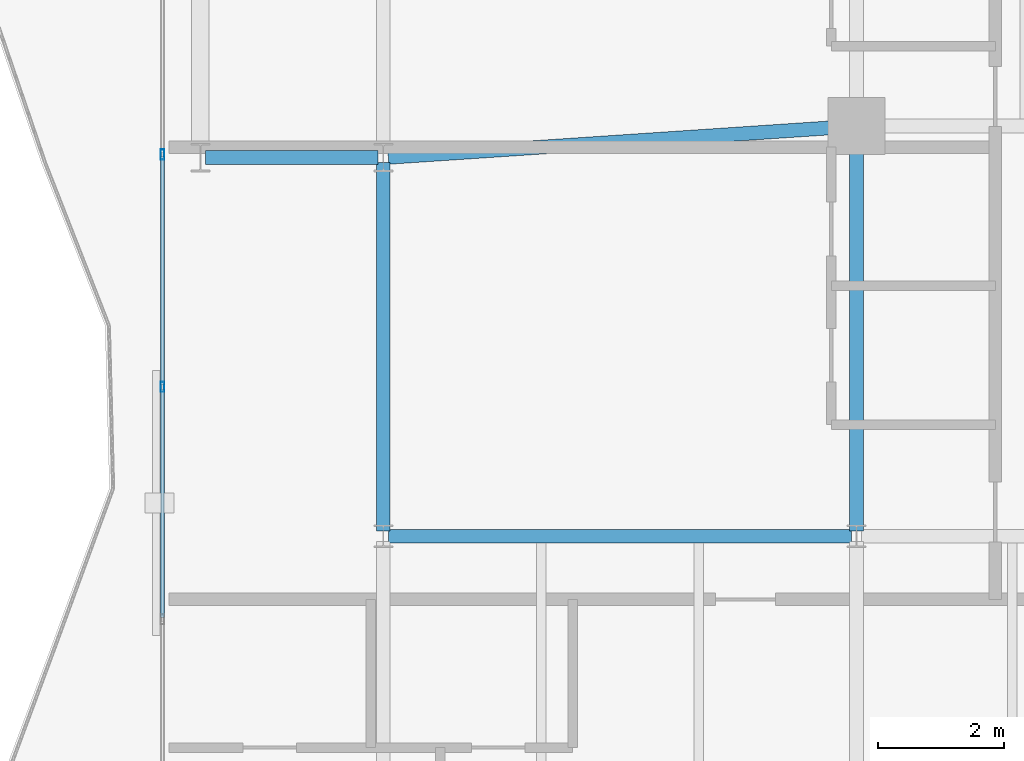
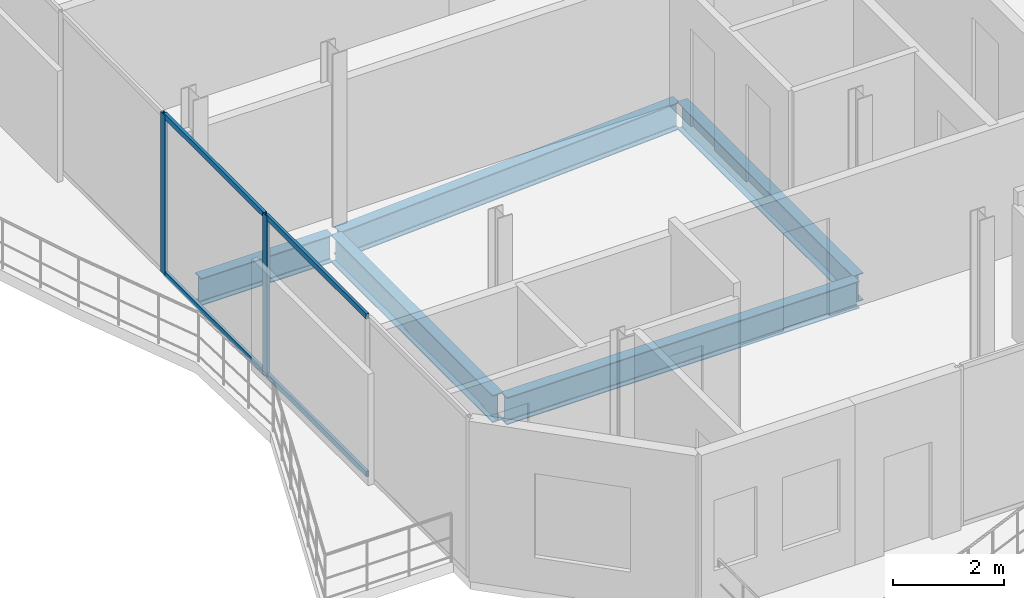
# One storey, part 6 of 22: 6 members, 5 beams, 1 element without a shape of its own.
"""IFC4 building model written with IfcOpenShell, lengths in metres."""

from ifc_helpers import new_model, si_unit, direction, frame, origin, origin_2d, place, context, subcontext, project, spatial, hollow_rectangle, i_section, extrude, material, layer, layer_set, material_profile, profile_set, type_object, element, aggregate, save


model = new_model("IFC4")

# Units and contexts
model_context = context("Model", 3, precision=1e-05, world=origin(), true_north=direction((0.0, 1.0)))
body_context = subcontext(model_context, "Body", "Model", "MODEL_VIEW")
ifc_project = project(units=[si_unit("LENGTHUNIT", "METRE"), si_unit("AREAUNIT", "SQUARE_METRE"), si_unit("VOLUMEUNIT", "CUBIC_METRE"), si_unit("PLANEANGLEUNIT", "RADIAN"), si_unit("MASSUNIT", "GRAM", prefix="KILO")], contexts=[model_context])

# Site, building, storey
site_placement = place(None, origin())
site = spatial("IfcSite", under=ifc_project, at=site_placement, CompositionType="ELEMENT")
building_placement = place(site_placement, origin())
building = spatial("IfcBuilding", under=site, at=building_placement, Name="Catumbela Crestline Tower", CompositionType="ELEMENT")
storey_placement = place(building_placement, frame((0.0, 0.0, 233.6)))
storey = spatial("IfcBuildingStorey", under=building, at=storey_placement, Name="L60", CompositionType="ELEMENT", Elevation=233.6)

# Beams
ifc_material_1 = material(Name="Structural steel S355J2", Category="steel")
ifc_material_profile_1 = material_profile(ifc_material_1, i_section(OverallWidth=0.22, OverallDepth=0.6, WebThickness=0.012, FlangeThickness=0.019, FilletRadius=0.024, at=origin_2d()), Name="IPE 600")
ifc_profile_set_1 = profile_set([ifc_material_profile_1], Name="Structural steel S355J2")
beam_type = type_object("IfcBeamType", Name="BG-IPE600", PredefinedType="BEAM", material=ifc_profile_set_1)
beam_1_placement = place(storey_placement, frame((5.68, 24.0, -0.56), z_axis=(1.0, 0.0, 0.0), x_axis=(0.0, 1.0, 0.0)))
element("IfcBeam", 1, at=beam_1_placement, inside=storey, type_object=beam_type, Name="L60 Beam BM-L60-S01", PredefinedType="BEAM", context=body_context, shape_type="SweptSolid", body=[
    extrude(i_section(OverallWidth=0.22, OverallDepth=0.6, WebThickness=0.012, FlangeThickness=0.019, FilletRadius=0.024, at=origin_2d()), origin(), (0.0, 0.0, 1.0), 2.74),
])
beam_2_placement = place(storey_placement, frame((8.5798, 24.0053, -0.56), z_axis=(0.997784796964, 0.066524423687, 0.0), x_axis=(-0.066524423687, 0.997784796964, 0.0)))
element("IfcBeam", 2, at=beam_2_placement, inside=storey, type_object=beam_type, Name="L60 Beam BM-L60-S02", PredefinedType="BEAM", context=body_context, shape_type="SweptSolid", body=[
    extrude(i_section(OverallWidth=0.22, OverallDepth=0.6, WebThickness=0.012, FlangeThickness=0.019, FilletRadius=0.024, at=origin_2d()), origin(), (0.0, 0.0, 1.0), 7.3567),
])
beam_3_placement = place(storey_placement, frame((8.58, 18.0, -0.56), z_axis=(1.0, 0.0, 0.0), x_axis=(0.0, 1.0, 0.0)))
element("IfcBeam", 3, at=beam_3_placement, inside=storey, type_object=beam_type, Name="L60 Beam BM-L60-WEW29", PredefinedType="BEAM", context=body_context, shape_type="SweptSolid", body=[
    extrude(i_section(OverallWidth=0.22, OverallDepth=0.6, WebThickness=0.012, FlangeThickness=0.019, FilletRadius=0.024, at=origin_2d()), origin(), (0.0, 0.0, 1.0), 7.34),
])
beam_4_placement = place(storey_placement, frame((8.5, 18.08, -0.56), z_axis=(0.0, 1.0, 0.0), x_axis=(-1.0, 0.0, 0.0)))
element("IfcBeam", 4, at=beam_4_placement, inside=storey, type_object=beam_type, Name="L60 Beam BM-L60-WNS32", PredefinedType="BEAM", context=body_context, shape_type="SweptSolid", body=[
    extrude(i_section(OverallWidth=0.22, OverallDepth=0.6, WebThickness=0.012, FlangeThickness=0.019, FilletRadius=0.024, at=origin_2d()), origin(), (0.0, 0.0, 1.0), 5.84),
])
beam_5_placement = place(storey_placement, frame((16.0, 18.08, -0.56), z_axis=(0.0, 1.0, 0.0), x_axis=(-1.0, 0.0, 0.0)))
element("IfcBeam", 5, at=beam_5_placement, inside=storey, type_object=beam_type, Name="L60 Beam BM-L60-WNS34", PredefinedType="BEAM", context=body_context, shape_type="SweptSolid", body=[
    extrude(i_section(OverallWidth=0.22, OverallDepth=0.6, WebThickness=0.012, FlangeThickness=0.019, FilletRadius=0.024, at=origin_2d()), origin(), (0.0, 0.0, 1.0), 6.34),
])

# Curtain wall, members
ifc_material_2 = material(Name="Aluminium alloy AW-6060-T66", Category="aluminium")
ifc_layer = layer(ifc_material_2, 0.18, Name="Aluminium alloy AW-6060-T66")
ifc_layer_set = layer_set([ifc_layer], Name="Aluminium alloy AW-6060-T66")
curtain_wall_type = type_object("IfcCurtainWallType", Name="CWU-Z4", PredefinedType="USERDEFINED", material=ifc_layer_set)
curtain_wall_placement = place(storey_placement, origin())
curtain_wall = element("IfcCurtainWall", 6, at=curtain_wall_placement, inside=storey, type_object=curtain_wall_type, Name="L60 Unitised Curtain Wall CW-L60-E9S2", ObjectType="UNITISED", PredefinedType="USERDEFINED")
ifc_material_profile_2 = material_profile(ifc_material_2, hollow_rectangle(XDim=0.06, YDim=0.16, WallThickness=0.004, at=origin_2d()), Name="ALU 160x60x4")
ifc_profile_set_2 = profile_set([ifc_material_profile_2], Name="Aluminium alloy AW-6060-T66")
member_type_1 = type_object("IfcMemberType", Name="MUL-160X60", PredefinedType="MULLION", material=ifc_profile_set_2)
member_1_placement = place(storey_placement, frame((5.0, 24.05, 0.0), z_axis=(0.0, 0.0, 1.0), x_axis=(1.0, 0.0, 0.0)))
member_1 = element("IfcMember", 7, at=member_1_placement, type_object=member_type_1, Name="CWU-Z4 mullion 4", PredefinedType="MULLION", context=body_context, shape_type="SweptSolid", body=[
    extrude(hollow_rectangle(XDim=0.06, YDim=0.16, WallThickness=0.004, at=origin_2d()), origin(), (0.0, 0.0, 1.0), 3.53),
])
member_2_placement = place(storey_placement, frame((5.0, 20.3667, 0.0), z_axis=(0.0, 0.0, 1.0), x_axis=(1.0, 0.0, 0.0)))
member_2 = element("IfcMember", 8, at=member_2_placement, type_object=member_type_1, Name="CWU-Z4 mullion 5", PredefinedType="MULLION", context=body_context, shape_type="SweptSolid", body=[
    extrude(hollow_rectangle(XDim=0.06, YDim=0.16, WallThickness=0.004, at=origin_2d()), origin(), (0.0, 0.0, 1.0), 3.53),
])
ifc_material_profile_3 = material_profile(ifc_material_2, hollow_rectangle(XDim=0.06, YDim=0.12, WallThickness=0.0035, at=origin_2d()), Name="ALU 120x60x3.5")
ifc_profile_set_3 = profile_set([ifc_material_profile_3], Name="Aluminium alloy AW-6060-T66")
member_type_2 = type_object("IfcMemberType", Name="TRN-120X60", PredefinedType="USERDEFINED", material=ifc_profile_set_3)
member_3_placement = place(storey_placement, frame((5.0, 24.0175, 0.03), z_axis=(0.0, -1.0, 0.0), x_axis=(1.0, 0.0, 0.0)))
member_3 = element("IfcMember", 9, at=member_3_placement, type_object=member_type_2, Name="CWU-Z4 transom 4.1", ObjectType="TRANSOM", PredefinedType="USERDEFINED", context=body_context, shape_type="SweptSolid", body=[
    extrude(hollow_rectangle(XDim=0.06, YDim=0.12, WallThickness=0.0035, at=origin_2d()), origin(), (0.0, 0.0, 1.0), 3.6183),
])
member_4_placement = place(storey_placement, frame((5.0, 24.0175, 3.5), z_axis=(0.0, -1.0, 0.0), x_axis=(1.0, 0.0, 0.0)))
member_4 = element("IfcMember", 10, at=member_4_placement, type_object=member_type_2, Name="CWU-Z4 transom 4.2", ObjectType="TRANSOM", PredefinedType="USERDEFINED", context=body_context, shape_type="SweptSolid", body=[
    extrude(hollow_rectangle(XDim=0.06, YDim=0.12, WallThickness=0.0035, at=origin_2d()), origin(), (0.0, 0.0, 1.0), 3.6183),
])
member_5_placement = place(storey_placement, frame((5.0, 20.3342, 0.03), z_axis=(0.0, -1.0, 0.0), x_axis=(1.0, 0.0, 0.0)))
member_5 = element("IfcMember", 11, at=member_5_placement, type_object=member_type_2, Name="CWU-Z4 transom 5.1", ObjectType="TRANSOM", PredefinedType="USERDEFINED", context=body_context, shape_type="SweptSolid", body=[
    extrude(hollow_rectangle(XDim=0.06, YDim=0.12, WallThickness=0.0035, at=origin_2d()), origin(), (0.0, 0.0, 1.0), 3.6184),
])
member_6_placement = place(storey_placement, frame((5.0, 20.3342, 3.5), z_axis=(0.0, -1.0, 0.0), x_axis=(1.0, 0.0, 0.0)))
member_6 = element("IfcMember", 12, at=member_6_placement, type_object=member_type_2, Name="CWU-Z4 transom 5.2", ObjectType="TRANSOM", PredefinedType="USERDEFINED", context=body_context, shape_type="SweptSolid", body=[
    extrude(hollow_rectangle(XDim=0.06, YDim=0.12, WallThickness=0.0035, at=origin_2d()), origin(), (0.0, 0.0, 1.0), 3.6184),
])
aggregate(curtain_wall, [member_1, member_2, member_3, member_4, member_5, member_6])

save(model, "model.ifc")
